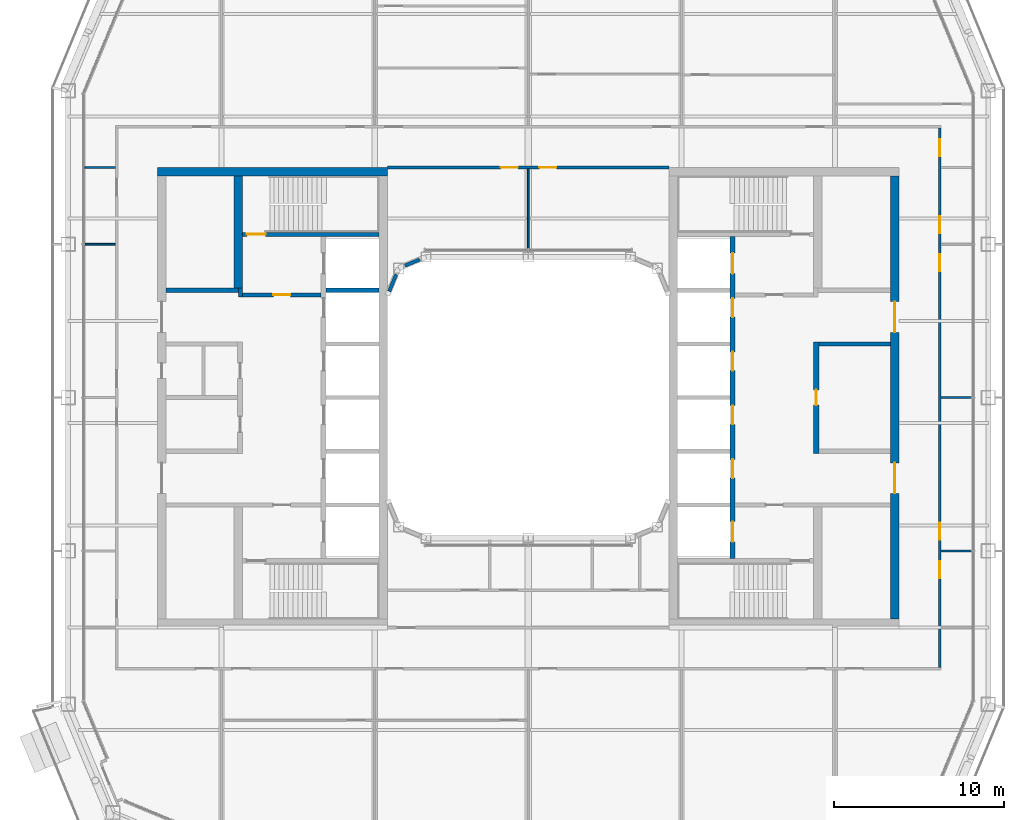
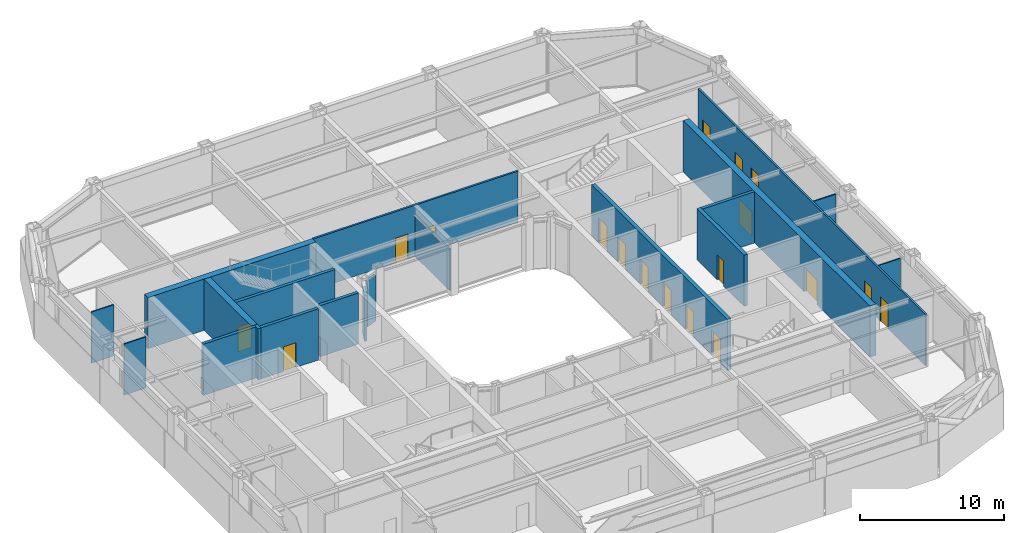
# One storey, part 15 of 24: 20 walls, 18 doors, 18 openings.
"""IFC4 building model written with IfcOpenShell, lengths in metres."""

from ifc_helpers import new_model, si_unit, direction, frame, frame_2d, origin, place, context, subcontext, project, spatial, rectangle, extrude, material, layer, layer_set, type_object, element, fill, save


model = new_model("IFC4")

# Units and contexts
model_context = context("Model", 3, precision=1e-05, world=origin(), true_north=direction((0.0, 1.0)))
body_context = subcontext(model_context, "Body", "Model", "MODEL_VIEW")
ifc_project = project(units=[si_unit("LENGTHUNIT", "METRE"), si_unit("AREAUNIT", "SQUARE_METRE"), si_unit("VOLUMEUNIT", "CUBIC_METRE"), si_unit("PLANEANGLEUNIT", "RADIAN"), si_unit("MASSUNIT", "GRAM", prefix="KILO")], contexts=[model_context])

# Site, building, storey
site_placement = place(None, origin())
site = spatial("IfcSite", under=ifc_project, at=site_placement, CompositionType="ELEMENT")
building_placement = place(site_placement, origin())
building = spatial("IfcBuilding", under=site, at=building_placement, Name="Siwar Civic Tower", CompositionType="ELEMENT")
storey_placement = place(building_placement, frame((0.0, 0.0, 215.199951171875)))
storey = spatial("IfcBuildingStorey", under=building, at=storey_placement, Name="L46", CompositionType="ELEMENT", Elevation=215.199951171875)

# Wall, opening, door
ifc_material_1 = material(Name="Concrete C60/75", Category="concrete")
ifc_layer_1 = layer(ifc_material_1, 0.25)
ifc_layer_set_1 = layer_set([ifc_layer_1], Name="Concrete C60/75")
wall_type_1 = type_object("IfcWallType", Name="CORE-WALL-RC250", PredefinedType="SHEAR", material=ifc_layer_set_1)
wall_1_placement = place(storey_placement, frame((-12.14990234375, 6.02490234375, 0.0), z_axis=(0.0, 0.0, 1.0), x_axis=(-1.0, 0.0, 0.0)))
wall_1 = element("IfcWall", 1, at=wall_1_placement, inside=storey, type_object=wall_type_1, Name="Core wall W", PredefinedType="SHEAR", context=body_context, shape_type="SweptSolid", body=[
    extrude(rectangle(XDim=4.60009765625, YDim=0.25, at=frame_2d((2.300048828125, 0.0))), origin(), (0.0, 0.0, 1.0), 4.35009765625),
])
opening_1_placement = place(wall_1_placement, frame((1.800048828125, 0.0, 0.0)))
opening_1 = element("IfcOpeningElement", 2, at=opening_1_placement, cuts=wall_1, Name="Opening L46-CW01", PredefinedType="OPENING", context=body_context, shape_type="SweptSolid", body=[
    extrude(rectangle(XDim=1.0, YDim=2.10009765625, at=frame_2d((0.5, 1.050048828125))), frame((0.0, 0.135009765625, 0.0), z_axis=(0.0, -1.0, 0.0), x_axis=(1.0, 0.0, 0.0)), (0.0, 0.0, 1.0), 0.27001953125),
])
ifc_material_2 = material(Name="Steel door leaf", Category="steel")
door_type_1 = type_object("IfcDoorType", Name="CORE-DOOR-FD30S", OperationType="SINGLE_SWING_LEFT", PredefinedType="DOOR", material=ifc_material_2)
door_1_placement = place(opening_1_placement, origin())
door_1 = element("IfcDoor", 3, at=door_1_placement, inside=storey, type_object=door_type_1, Name="Firefighting lobby door L46-CW01", OperationType="SINGLE_SWING_LEFT", OverallHeight=2.10009765625, OverallWidth=1.0, PredefinedType="DOOR", context=body_context, shape_type="SweptSolid", body=[
    extrude(rectangle(XDim=1.0, YDim=2.10009765625, at=frame_2d((0.5, 1.050048828125))), frame((0.0, 0.02490234375, 0.0), z_axis=(0.0, -1.0, 0.0), x_axis=(1.0, 0.0, 0.0)), (0.0, 0.0, 1.0), 0.050048828125),
])
fill(opening_1, door_1)

# Walls
wall_2_placement = place(storey_placement, frame((-16.875, 5.89990234375, 0.0), z_axis=(0.0, 0.0, 1.0), x_axis=(0.0, 1.0, 0.0)))
element("IfcWall", 4, at=wall_2_placement, inside=storey, type_object=wall_type_1, Name="Core wall W", PredefinedType="SHEAR", context=body_context, shape_type="SweptSolid", body=[
    extrude(rectangle(XDim=0.525146484375, YDim=0.25, at=frame_2d((0.2626953125, 0.0))), origin(), (0.0, 0.0, 1.0), 4.35009765625),
])
wall_3_placement = place(storey_placement, frame((-17.0, 6.300048828125, 0.0), z_axis=(0.0, 0.0, 1.0), x_axis=(-1.0, 0.0, 0.0)))
element("IfcWall", 5, at=wall_3_placement, inside=storey, type_object=wall_type_1, Name="Core wall W", PredefinedType="SHEAR", context=body_context, shape_type="SweptSolid", body=[
    extrude(rectangle(XDim=4.25, YDim=0.25, at=frame_2d((2.125, 0.0))), origin(), (0.0, 0.0, 1.0), 4.35009765625),
])
wall_4_placement = place(storey_placement, frame((-8.75, 6.300048828125, 0.0), z_axis=(0.0, 0.0, 1.0), x_axis=(-1.0, 0.0, 0.0)))
element("IfcWall", 6, at=wall_4_placement, inside=storey, type_object=wall_type_1, Name="Core wall W", PredefinedType="SHEAR", context=body_context, shape_type="SweptSolid", body=[
    extrude(rectangle(XDim=3.10009765625, YDim=0.25, at=frame_2d((1.550048828125, 0.0))), origin(), (0.0, 0.0, 1.0), 4.35009765625),
])

# Wall, opening, door
wall_5_placement = place(storey_placement, frame((-8.75, 9.574951171875, 0.0), z_axis=(0.0, 0.0, 1.0), x_axis=(-1.0, 0.0, 0.0)))
wall_5 = element("IfcWall", 7, at=wall_5_placement, inside=storey, type_object=wall_type_1, Name="Core wall W", PredefinedType="SHEAR", context=body_context, shape_type="SweptSolid", body=[
    extrude(rectangle(XDim=8.0, YDim=0.25, at=frame_2d((4.0, 0.0))), origin(), (0.0, 0.0, 1.0), 4.35009765625),
])
opening_2_placement = place(wall_5_placement, frame((6.64990234375, 0.0, 0.0)))
opening_2 = element("IfcOpeningElement", 8, at=opening_2_placement, cuts=wall_5, Name="Opening L46-CW03", PredefinedType="OPENING", context=body_context, shape_type="SweptSolid", body=[
    extrude(rectangle(XDim=1.10009765625, YDim=2.10009765625, at=frame_2d((0.550048828125, 1.050048828125))), frame((0.0, 0.135009765625, 0.0), z_axis=(0.0, -1.0, 0.0), x_axis=(1.0, 0.0, 0.0)), (0.0, 0.0, 1.0), 0.27001953125),
])
ifc_material_3 = material(Name="Steel door leaf", Category="steel")
door_type_2 = type_object("IfcDoorType", Name="CORE-DOOR-FD60S", OperationType="SINGLE_SWING_LEFT", PredefinedType="DOOR", material=ifc_material_3)
door_2_placement = place(opening_2_placement, origin())
door_2 = element("IfcDoor", 9, at=door_2_placement, inside=storey, type_object=door_type_2, Name="Stair door L46-CW03", OperationType="SINGLE_SWING_RIGHT", OverallHeight=2.10009765625, OverallWidth=1.10009765625, PredefinedType="DOOR", context=body_context, shape_type="SweptSolid", body=[
    extrude(rectangle(XDim=1.10009765625, YDim=2.10009765625, at=frame_2d((0.550048828125, 1.050048828125))), frame((0.0, 0.02490234375, 0.0), z_axis=(0.0, -1.0, 0.0), x_axis=(1.0, 0.0, 0.0)), (0.0, 0.0, 1.0), 0.050048828125),
])
fill(opening_2, door_2)

# Wall
wall_6_placement = place(storey_placement, frame((17.050048828125, 3.14990234375, 0.0), z_axis=(0.0, 0.0, 1.0), x_axis=(1.0, 0.0, 0.0)))
element("IfcWall", 10, at=wall_6_placement, inside=storey, type_object=wall_type_1, Name="Core wall E", PredefinedType="SHEAR", context=body_context, shape_type="SweptSolid", body=[
    extrude(rectangle(XDim=4.199951171875, YDim=0.25, at=frame_2d((2.10009765625, 0.0))), origin(), (0.0, 0.0, 1.0), 4.35009765625),
])

# Wall, openings, doors
ifc_material_4 = material(Name="Concrete C60/75", Category="concrete")
ifc_layer_2 = layer(ifc_material_4, 0.300048828125)
ifc_layer_set_2 = layer_set([ifc_layer_2], Name="Concrete C60/75")
wall_type_2 = type_object("IfcWallType", Name="CORE-WALL-RC300", PredefinedType="SHEAR", material=ifc_layer_set_2)
wall_7_placement = place(storey_placement, frame((12.0, -9.449951171875, 0.0), z_axis=(0.0, 0.0, 1.0), x_axis=(0.0, 1.0, 0.0)))
wall_7 = element("IfcWall", 11, at=wall_7_placement, inside=storey, type_object=wall_type_2, Name="Core wall E", PredefinedType="SHEAR", context=body_context, shape_type="SweptSolid", body=[
    extrude(rectangle(XDim=18.89990234375, YDim=0.300048828125, at=frame_2d((9.449951171875, 0.0))), origin(), (0.0, 0.0, 1.0), 4.35009765625),
])
opening_3_placement = place(wall_7_placement, frame((4.72509765625, 0.0, 0.0)))
opening_3 = element("IfcOpeningElement", 12, at=opening_3_placement, cuts=wall_7, Name="Opening L46-CE07", PredefinedType="OPENING", context=body_context, shape_type="SweptSolid", body=[
    extrude(rectangle(XDim=1.10009765625, YDim=2.10009765625, at=frame_2d((0.550048828125, 1.050048828125))), frame((0.0, 0.16015625, 0.0), z_axis=(0.0, -1.0, 0.0), x_axis=(1.0, 0.0, 0.0)), (0.0, 0.0, 1.0), 0.320068359375),
])
opening_4_placement = place(wall_7_placement, frame((7.875, 0.0, 0.0)))
opening_4 = element("IfcOpeningElement", 13, at=opening_4_placement, cuts=wall_7, Name="Opening L46-CE08", PredefinedType="OPENING", context=body_context, shape_type="SweptSolid", body=[
    extrude(rectangle(XDim=1.10009765625, YDim=2.10009765625, at=frame_2d((0.550048828125, 1.050048828125))), frame((0.0, 0.16015625, 0.0), z_axis=(0.0, -1.0, 0.0), x_axis=(1.0, 0.0, 0.0)), (0.0, 0.0, 1.0), 0.320068359375),
])
opening_5_placement = place(wall_7_placement, frame((11.02490234375, 0.0, 0.0)))
opening_5 = element("IfcOpeningElement", 14, at=opening_5_placement, cuts=wall_7, Name="Opening L46-CE09", PredefinedType="OPENING", context=body_context, shape_type="SweptSolid", body=[
    extrude(rectangle(XDim=1.10009765625, YDim=2.10009765625, at=frame_2d((0.550048828125, 1.050048828125))), frame((0.0, 0.16015625, 0.0), z_axis=(0.0, -1.0, 0.0), x_axis=(1.0, 0.0, 0.0)), (0.0, 0.0, 1.0), 0.320068359375),
])
opening_6_placement = place(wall_7_placement, frame((14.175048828125, 0.0, 0.0)))
opening_6 = element("IfcOpeningElement", 15, at=opening_6_placement, cuts=wall_7, Name="Opening L46-CE10", PredefinedType="OPENING", context=body_context, shape_type="SweptSolid", body=[
    extrude(rectangle(XDim=1.10009765625, YDim=2.10009765625, at=frame_2d((0.550048828125, 1.050048828125))), frame((0.0, 0.16015625, 0.0), z_axis=(0.0, -1.0, 0.0), x_axis=(1.0, 0.0, 0.0)), (0.0, 0.0, 1.0), 0.320068359375),
])
opening_7_placement = place(wall_7_placement, frame((16.72509765625, 0.0, 0.0)))
opening_7 = element("IfcOpeningElement", 16, at=opening_7_placement, cuts=wall_7, Name="Opening L46-CE11", PredefinedType="OPENING", context=body_context, shape_type="SweptSolid", body=[
    extrude(rectangle(XDim=1.199951171875, YDim=2.10009765625, at=frame_2d((0.60009765625, 1.050048828125))), frame((0.0, 0.16015625, 0.0), z_axis=(0.0, -1.0, 0.0), x_axis=(1.0, 0.0, 0.0)), (0.0, 0.0, 1.0), 0.320068359375),
])
opening_8_placement = place(wall_7_placement, frame((0.97509765625, 0.0, 0.0)))
opening_8 = element("IfcOpeningElement", 17, at=opening_8_placement, cuts=wall_7, Name="Opening L46-CE12", PredefinedType="OPENING", context=body_context, shape_type="SweptSolid", body=[
    extrude(rectangle(XDim=1.199951171875, YDim=2.10009765625, at=frame_2d((0.60009765625, 1.050048828125))), frame((0.0, 0.16015625, 0.0), z_axis=(0.0, -1.0, 0.0), x_axis=(1.0, 0.0, 0.0)), (0.0, 0.0, 1.0), 0.320068359375),
])
ifc_material_5 = material(Name="Steel door leaf", Category="steel")
door_type_3 = type_object("IfcDoorType", Name="CORE-DOOR-LD", OperationType="DOUBLE_DOOR_SLIDING", PredefinedType="DOOR", material=ifc_material_5)
door_3_placement = place(opening_3_placement, origin())
door_3 = element("IfcDoor", 18, at=door_3_placement, inside=storey, type_object=door_type_3, Name="Landing door HR5 L46-CE07", OperationType="DOUBLE_DOOR_SLIDING", OverallHeight=2.10009765625, OverallWidth=1.10009765625, PredefinedType="DOOR", context=body_context, shape_type="SweptSolid", body=[
    extrude(rectangle(XDim=1.10009765625, YDim=2.10009765625, at=frame_2d((0.550048828125, 1.050048828125))), frame((0.0, 0.02490234375, 0.0), z_axis=(0.0, -1.0, 0.0), x_axis=(1.0, 0.0, 0.0)), (0.0, 0.0, 1.0), 0.050048828125),
])
fill(opening_3, door_3)
door_4_placement = place(opening_4_placement, origin())
door_4 = element("IfcDoor", 19, at=door_4_placement, inside=storey, type_object=door_type_3, Name="Landing door HR6 L46-CE08", OperationType="DOUBLE_DOOR_SLIDING", OverallHeight=2.10009765625, OverallWidth=1.10009765625, PredefinedType="DOOR", context=body_context, shape_type="SweptSolid", body=[
    extrude(rectangle(XDim=1.10009765625, YDim=2.10009765625, at=frame_2d((0.550048828125, 1.050048828125))), frame((0.0, 0.02490234375, 0.0), z_axis=(0.0, -1.0, 0.0), x_axis=(1.0, 0.0, 0.0)), (0.0, 0.0, 1.0), 0.050048828125),
])
fill(opening_4, door_4)
door_5_placement = place(opening_5_placement, origin())
door_5 = element("IfcDoor", 20, at=door_5_placement, inside=storey, type_object=door_type_3, Name="Landing door HR7 L46-CE09", OperationType="DOUBLE_DOOR_SLIDING", OverallHeight=2.10009765625, OverallWidth=1.10009765625, PredefinedType="DOOR", context=body_context, shape_type="SweptSolid", body=[
    extrude(rectangle(XDim=1.10009765625, YDim=2.10009765625, at=frame_2d((0.550048828125, 1.050048828125))), frame((0.0, 0.02490234375, 0.0), z_axis=(0.0, -1.0, 0.0), x_axis=(1.0, 0.0, 0.0)), (0.0, 0.0, 1.0), 0.050048828125),
])
fill(opening_5, door_5)
door_6_placement = place(opening_6_placement, origin())
door_6 = element("IfcDoor", 21, at=door_6_placement, inside=storey, type_object=door_type_3, Name="Landing door HR8 L46-CE10", OperationType="DOUBLE_DOOR_SLIDING", OverallHeight=2.10009765625, OverallWidth=1.10009765625, PredefinedType="DOOR", context=body_context, shape_type="SweptSolid", body=[
    extrude(rectangle(XDim=1.10009765625, YDim=2.10009765625, at=frame_2d((0.550048828125, 1.050048828125))), frame((0.0, 0.02490234375, 0.0), z_axis=(0.0, -1.0, 0.0), x_axis=(1.0, 0.0, 0.0)), (0.0, 0.0, 1.0), 0.050048828125),
])
fill(opening_6, door_6)
ifc_material_6 = material(Name="Steel door leaf", Category="steel")
door_type_4 = type_object("IfcDoorType", Name="CORE-DOOR-LDW", OperationType="DOUBLE_DOOR_SLIDING", PredefinedType="DOOR", material=ifc_material_6)
door_7_placement = place(opening_7_placement, origin())
door_7 = element("IfcDoor", 22, at=door_7_placement, inside=storey, type_object=door_type_4, Name="Landing door FF2 L46-CE11", OperationType="DOUBLE_DOOR_SLIDING", OverallHeight=2.10009765625, OverallWidth=1.199951171875, PredefinedType="DOOR", context=body_context, shape_type="SweptSolid", body=[
    extrude(rectangle(XDim=1.199951171875, YDim=2.10009765625, at=frame_2d((0.60009765625, 1.050048828125))), frame((0.0, 0.02490234375, 0.0), z_axis=(0.0, -1.0, 0.0), x_axis=(1.0, 0.0, 0.0)), (0.0, 0.0, 1.0), 0.050048828125),
])
fill(opening_7, door_7)
door_8_placement = place(opening_8_placement, origin())
door_8 = element("IfcDoor", 23, at=door_8_placement, inside=storey, type_object=door_type_4, Name="Landing door SV2 L46-CE12", OperationType="DOUBLE_DOOR_SLIDING", OverallHeight=2.10009765625, OverallWidth=1.199951171875, PredefinedType="DOOR", context=body_context, shape_type="SweptSolid", body=[
    extrude(rectangle(XDim=1.199951171875, YDim=2.10009765625, at=frame_2d((0.60009765625, 1.050048828125))), frame((0.0, 0.02490234375, 0.0), z_axis=(0.0, -1.0, 0.0), x_axis=(1.0, 0.0, 0.0)), (0.0, 0.0, 1.0), 0.050048828125),
])
fill(opening_8, door_8)

# Wall, opening, door
wall_8_placement = place(storey_placement, frame((16.89990234375, -3.27490234375, 0.0), z_axis=(0.0, 0.0, 1.0), x_axis=(0.0, 1.0, 0.0)))
wall_8 = element("IfcWall", 24, at=wall_8_placement, inside=storey, type_object=wall_type_2, Name="Core wall E", PredefinedType="SHEAR", context=body_context, shape_type="SweptSolid", body=[
    extrude(rectangle(XDim=6.5498046875, YDim=0.300048828125, at=frame_2d((3.27490234375, 0.0))), origin(), (0.0, 0.0, 1.0), 4.35009765625),
])
opening_9_placement = place(wall_8_placement, frame((2.824951171875, 0.0, 0.0)))
opening_9 = element("IfcOpeningElement", 25, at=opening_9_placement, cuts=wall_8, Name="Opening L46-CE13", PredefinedType="OPENING", context=body_context, shape_type="SweptSolid", body=[
    extrude(rectangle(XDim=0.89990234375, YDim=2.10009765625, at=frame_2d((0.449951171875, 1.050048828125))), frame((0.0, 0.16015625, 0.0), z_axis=(0.0, -1.0, 0.0), x_axis=(1.0, 0.0, 0.0)), (0.0, 0.0, 1.0), 0.320068359375),
])
ifc_material_7 = material(Name="Steel door leaf", Category="steel")
door_type_5 = type_object("IfcDoorType", Name="CORE-DOOR-ROOM", OperationType="SINGLE_SWING_LEFT", PredefinedType="DOOR", material=ifc_material_7)
door_9_placement = place(opening_9_placement, origin())
door_9 = element("IfcDoor", 26, at=door_9_placement, inside=storey, type_object=door_type_5, Name="Core room door L46-CE13", OperationType="SINGLE_SWING_LEFT", OverallHeight=2.10009765625, OverallWidth=0.89990234375, PredefinedType="DOOR", context=body_context, shape_type="SweptSolid", body=[
    extrude(rectangle(XDim=0.89990234375, YDim=2.10009765625, at=frame_2d((0.449951171875, 1.050048828125))), frame((0.0, 0.02490234375, 0.0), z_axis=(0.0, -1.0, 0.0), x_axis=(1.0, 0.0, 0.0)), (0.0, 0.0, 1.0), 0.050048828125),
])
fill(opening_9, door_9)

# Walls
ifc_material_8 = material(Name="Concrete C60/75", Category="concrete")
ifc_layer_3 = layer(ifc_material_8, 0.5)
ifc_layer_set_3 = layer_set([ifc_layer_3], Name="Concrete C60/75")
wall_type_3 = type_object("IfcWallType", Name="CORE-WALL-RC500", PredefinedType="SHEAR", material=ifc_layer_set_3)
wall_9_placement = place(storey_placement, frame((-17.0, 6.425048828125, 0.0), z_axis=(0.0, 0.0, 1.0), x_axis=(0.0, 1.0, 0.0)))
element("IfcWall", 27, at=wall_9_placement, inside=storey, type_object=wall_type_3, Name="Core wall W", PredefinedType="SHEAR", context=body_context, shape_type="SweptSolid", body=[
    extrude(rectangle(XDim=6.574951171875, YDim=0.5, at=frame_2d((3.28759765625, 0.0))), origin(), (0.0, 0.0, 1.0), 4.35009765625),
])
wall_10_placement = place(storey_placement, frame((-8.25, 13.25, 0.0), z_axis=(0.0, 0.0, 1.0), x_axis=(-1.0, 0.0, 0.0)))
element("IfcWall", 28, at=wall_10_placement, inside=storey, type_object=wall_type_3, Name="Core wall W", PredefinedType="SHEAR", context=body_context, shape_type="SweptSolid", body=[
    extrude(rectangle(XDim=13.5, YDim=0.5, at=frame_2d((6.75, 0.0))), origin(), (0.0, 0.0, 1.0), 4.35009765625),
])

# Wall, openings, doors
wall_11_placement = place(storey_placement, frame((21.5, -13.0, 0.0), z_axis=(0.0, 0.0, 1.0), x_axis=(0.0, 1.0, 0.0)))
wall_11 = element("IfcWall", 29, at=wall_11_placement, inside=storey, type_object=wall_type_3, Name="Core wall E", PredefinedType="SHEAR", context=body_context, shape_type="SweptSolid", body=[
    extrude(rectangle(XDim=26.0, YDim=0.5, at=frame_2d((13.0, 0.0))), origin(), (0.0, 0.0, 1.0), 4.35009765625),
])
opening_10_placement = place(wall_11_placement, frame((16.824951171875, 0.0, 0.0)))
opening_10 = element("IfcOpeningElement", 30, at=opening_10_placement, cuts=wall_11, Name="Opening L46-CE05", PredefinedType="OPENING", context=body_context, shape_type="SweptSolid", body=[
    extrude(rectangle(XDim=1.800048828125, YDim=2.10009765625, at=frame_2d((0.89990234375, 1.050048828125))), frame((0.0, 0.260009765625, 0.0), z_axis=(0.0, -1.0, 0.0), x_axis=(1.0, 0.0, 0.0)), (0.0, 0.0, 1.0), 0.52001953125),
])
opening_11_placement = place(wall_11_placement, frame((7.375, 0.0, 0.0)))
opening_11 = element("IfcOpeningElement", 31, at=opening_11_placement, cuts=wall_11, Name="Opening L46-CE06", PredefinedType="OPENING", context=body_context, shape_type="SweptSolid", body=[
    extrude(rectangle(XDim=1.800048828125, YDim=2.10009765625, at=frame_2d((0.89990234375, 1.050048828125))), frame((0.0, 0.260009765625, 0.0), z_axis=(0.0, -1.0, 0.0), x_axis=(1.0, 0.0, 0.0)), (0.0, 0.0, 1.0), 0.52001953125),
])
ifc_material_9 = material(Name="Steel door leaf", Category="steel")
door_type_6 = type_object("IfcDoorType", Name="CORE-DOOR-PORT", OperationType="DOUBLE_DOOR_DOUBLE_SWING", PredefinedType="DOOR", material=ifc_material_9)
door_10_placement = place(opening_10_placement, origin())
door_10 = element("IfcDoor", 32, at=door_10_placement, inside=storey, type_object=door_type_6, Name="Core entrance door L46-CE05", OperationType="DOUBLE_DOOR_DOUBLE_SWING", OverallHeight=2.10009765625, OverallWidth=1.800048828125, PredefinedType="DOOR", context=body_context, shape_type="SweptSolid", body=[
    extrude(rectangle(XDim=1.800048828125, YDim=2.10009765625, at=frame_2d((0.89990234375, 1.050048828125))), frame((0.0, 0.02490234375, 0.0), z_axis=(0.0, -1.0, 0.0), x_axis=(1.0, 0.0, 0.0)), (0.0, 0.0, 1.0), 0.050048828125),
])
fill(opening_10, door_10)
door_11_placement = place(opening_11_placement, origin())
door_11 = element("IfcDoor", 33, at=door_11_placement, inside=storey, type_object=door_type_6, Name="Core entrance door L46-CE06", OperationType="DOUBLE_DOOR_DOUBLE_SWING", OverallHeight=2.10009765625, OverallWidth=1.800048828125, PredefinedType="DOOR", context=body_context, shape_type="SweptSolid", body=[
    extrude(rectangle(XDim=1.800048828125, YDim=2.10009765625, at=frame_2d((0.89990234375, 1.050048828125))), frame((0.0, 0.02490234375, 0.0), z_axis=(0.0, -1.0, 0.0), x_axis=(1.0, 0.0, 0.0)), (0.0, 0.0, 1.0), 0.050048828125),
])
fill(opening_11, door_11)

ifc_material_10 = material(Name="Gypsum board on steel studs", Category="steel")
ifc_layer_4 = layer(ifc_material_10, 0.14990234375)
ifc_layer_set_4 = layer_set([ifc_layer_4], Name="Gypsum board on steel studs")
wall_type_4 = type_object("IfcWallType", Name="CORRIDOR PARTITION 150 EI 30", PredefinedType="PARTITIONING", material=ifc_layer_set_4)
wall_12_placement = place(storey_placement, frame((-8.25, 13.5, 0.0), z_axis=(0.0, 0.0, 1.0), x_axis=(1.0, 0.0, 0.0)))
wall_12 = element("IfcWall", 34, at=wall_12_placement, inside=storey, type_object=wall_type_4, Name="L46/wall/P16", PredefinedType="PARTITIONING", context=body_context, shape_type="SweptSolid", body=[
    extrude(rectangle(XDim=16.5, YDim=0.14990234375, at=frame_2d((8.25, 0.0))), origin(), (0.0, 0.0, 1.0), 4.35009765625),
])
opening_12_placement = place(wall_12_placement, frame((6.64990234375, 0.0, 0.0)))
opening_12 = element("IfcOpeningElement", 35, at=opening_12_placement, cuts=wall_12, Name="Opening D1", PredefinedType="OPENING", context=body_context, shape_type="SweptSolid", body=[
    extrude(rectangle(XDim=1.0, YDim=2.10009765625, at=frame_2d((0.5, 1.050048828125))), frame((0.0, 0.0849609375, 0.0), z_axis=(0.0, -1.0, 0.0), x_axis=(1.0, 0.0, 0.0)), (0.0, 0.0, 1.0), 0.169921875),
])
opening_13_placement = place(wall_12_placement, frame((8.89990234375, 0.0, 0.0)))
opening_13 = element("IfcOpeningElement", 36, at=opening_13_placement, cuts=wall_12, Name="Opening D1", PredefinedType="OPENING", context=body_context, shape_type="SweptSolid", body=[
    extrude(rectangle(XDim=1.0, YDim=2.10009765625, at=frame_2d((0.5, 1.050048828125))), frame((0.0, 0.0849609375, 0.0), z_axis=(0.0, -1.0, 0.0), x_axis=(1.0, 0.0, 0.0)), (0.0, 0.0, 1.0), 0.169921875),
])
ifc_material_11 = material(Name="Timber, painted", Category="wood")
door_type_7 = type_object("IfcDoorType", Name="DOOR 1000 X 2100 FD30", OperationType="SINGLE_SWING_LEFT", PredefinedType="DOOR", material=ifc_material_11)
door_12_placement = place(opening_12_placement, origin())
door_12 = element("IfcDoor", 37, at=door_12_placement, inside=storey, type_object=door_type_7, Name="L46-D28", OperationType="SINGLE_SWING_RIGHT", OverallHeight=2.10009765625, OverallWidth=1.0, PredefinedType="DOOR", context=body_context, shape_type="SweptSolid", body=[
    extrude(rectangle(XDim=1.0, YDim=2.10009765625, at=frame_2d((0.5, 1.050048828125))), frame((0.0, 0.02490234375, 0.0), z_axis=(0.0, -1.0, 0.0), x_axis=(1.0, 0.0, 0.0)), (0.0, 0.0, 1.0), 0.050048828125),
])
fill(opening_12, door_12)
door_13_placement = place(opening_13_placement, origin())
door_13 = element("IfcDoor", 38, at=door_13_placement, inside=storey, type_object=door_type_7, Name="L46-D29", OperationType="SINGLE_SWING_LEFT", OverallHeight=2.10009765625, OverallWidth=1.0, PredefinedType="DOOR", context=body_context, shape_type="SweptSolid", body=[
    extrude(rectangle(XDim=1.0, YDim=2.10009765625, at=frame_2d((0.5, 1.050048828125))), frame((0.0, 0.02490234375, 0.0), z_axis=(0.0, -1.0, 0.0), x_axis=(1.0, 0.0, 0.0)), (0.0, 0.0, 1.0), 0.050048828125),
])
fill(opening_13, door_13)

wall_13_placement = place(storey_placement, frame((24.14990234375, -15.824951171875, 0.0), z_axis=(0.0, 0.0, 1.0), x_axis=(0.0, 1.0, 0.0)))
wall_13 = element("IfcWall", 39, at=wall_13_placement, inside=storey, type_object=wall_type_4, Name="L46/wall/P39", PredefinedType="PARTITIONING", context=body_context, shape_type="SweptSolid", body=[
    extrude(rectangle(XDim=31.64990234375, YDim=0.14990234375, at=frame_2d((15.824951171875, 0.0))), origin(), (0.0, 0.0, 1.0), 4.35009765625),
])
opening_14_placement = place(wall_13_placement, frame((29.97509765625, 0.0, 0.0)))
opening_14 = element("IfcOpeningElement", 40, at=opening_14_placement, cuts=wall_13, Name="Opening D1", PredefinedType="OPENING", context=body_context, shape_type="SweptSolid", body=[
    extrude(rectangle(XDim=1.0, YDim=2.10009765625, at=frame_2d((0.5, 1.050048828125))), frame((0.0, 0.0849609375, 0.0), z_axis=(0.0, -1.0, 0.0), x_axis=(1.0, 0.0, 0.0)), (0.0, 0.0, 1.0), 0.169921875),
])
opening_15_placement = place(wall_13_placement, frame((5.22509765625, 0.0, 0.0)))
opening_15 = element("IfcOpeningElement", 41, at=opening_15_placement, cuts=wall_13, Name="Opening D1", PredefinedType="OPENING", context=body_context, shape_type="SweptSolid", body=[
    extrude(rectangle(XDim=1.0, YDim=2.10009765625, at=frame_2d((0.5, 1.050048828125))), frame((0.0, 0.0849609375, 0.0), z_axis=(0.0, -1.0, 0.0), x_axis=(1.0, 0.0, 0.0)), (0.0, 0.0, 1.0), 0.169921875),
])
opening_16_placement = place(wall_13_placement, frame((7.47509765625, 0.0, 0.0)))
opening_16 = element("IfcOpeningElement", 42, at=opening_16_placement, cuts=wall_13, Name="Opening D1", PredefinedType="OPENING", context=body_context, shape_type="SweptSolid", body=[
    extrude(rectangle(XDim=1.0, YDim=2.10009765625, at=frame_2d((0.5, 1.050048828125))), frame((0.0, 0.0849609375, 0.0), z_axis=(0.0, -1.0, 0.0), x_axis=(1.0, 0.0, 0.0)), (0.0, 0.0, 1.0), 0.169921875),
])
opening_17_placement = place(wall_13_placement, frame((23.22509765625, 0.0, 0.0)))
opening_17 = element("IfcOpeningElement", 43, at=opening_17_placement, cuts=wall_13, Name="Opening D1", PredefinedType="OPENING", context=body_context, shape_type="SweptSolid", body=[
    extrude(rectangle(XDim=1.0, YDim=2.10009765625, at=frame_2d((0.5, 1.050048828125))), frame((0.0, 0.0849609375, 0.0), z_axis=(0.0, -1.0, 0.0), x_axis=(1.0, 0.0, 0.0)), (0.0, 0.0, 1.0), 0.169921875),
])
opening_18_placement = place(wall_13_placement, frame((25.47509765625, 0.0, 0.0)))
opening_18 = element("IfcOpeningElement", 44, at=opening_18_placement, cuts=wall_13, Name="Opening D1", PredefinedType="OPENING", context=body_context, shape_type="SweptSolid", body=[
    extrude(rectangle(XDim=1.0, YDim=2.10009765625, at=frame_2d((0.5, 1.050048828125))), frame((0.0, 0.0849609375, 0.0), z_axis=(0.0, -1.0, 0.0), x_axis=(1.0, 0.0, 0.0)), (0.0, 0.0, 1.0), 0.169921875),
])
door_14_placement = place(opening_14_placement, origin())
door_14 = element("IfcDoor", 45, at=door_14_placement, inside=storey, type_object=door_type_7, Name="L46-D16", OperationType="SINGLE_SWING_RIGHT", OverallHeight=2.10009765625, OverallWidth=1.0, PredefinedType="DOOR", context=body_context, shape_type="SweptSolid", body=[
    extrude(rectangle(XDim=1.0, YDim=2.10009765625, at=frame_2d((0.5, 1.050048828125))), frame((0.0, 0.02490234375, 0.0), z_axis=(0.0, -1.0, 0.0), x_axis=(1.0, 0.0, 0.0)), (0.0, 0.0, 1.0), 0.050048828125),
])
fill(opening_14, door_14)
door_15_placement = place(opening_15_placement, origin())
door_15 = element("IfcDoor", 46, at=door_15_placement, inside=storey, type_object=door_type_7, Name="L46-D24", OperationType="SINGLE_SWING_RIGHT", OverallHeight=2.10009765625, OverallWidth=1.0, PredefinedType="DOOR", context=body_context, shape_type="SweptSolid", body=[
    extrude(rectangle(XDim=1.0, YDim=2.10009765625, at=frame_2d((0.5, 1.050048828125))), frame((0.0, 0.02490234375, 0.0), z_axis=(0.0, -1.0, 0.0), x_axis=(1.0, 0.0, 0.0)), (0.0, 0.0, 1.0), 0.050048828125),
])
fill(opening_15, door_15)
door_16_placement = place(opening_16_placement, origin())
door_16 = element("IfcDoor", 47, at=door_16_placement, inside=storey, type_object=door_type_7, Name="L46-D25", OperationType="SINGLE_SWING_LEFT", OverallHeight=2.10009765625, OverallWidth=1.0, PredefinedType="DOOR", context=body_context, shape_type="SweptSolid", body=[
    extrude(rectangle(XDim=1.0, YDim=2.10009765625, at=frame_2d((0.5, 1.050048828125))), frame((0.0, 0.02490234375, 0.0), z_axis=(0.0, -1.0, 0.0), x_axis=(1.0, 0.0, 0.0)), (0.0, 0.0, 1.0), 0.050048828125),
])
fill(opening_16, door_16)
door_17_placement = place(opening_17_placement, origin())
door_17 = element("IfcDoor", 48, at=door_17_placement, inside=storey, type_object=door_type_7, Name="L46-D26", OperationType="SINGLE_SWING_RIGHT", OverallHeight=2.10009765625, OverallWidth=1.0, PredefinedType="DOOR", context=body_context, shape_type="SweptSolid", body=[
    extrude(rectangle(XDim=1.0, YDim=2.10009765625, at=frame_2d((0.5, 1.050048828125))), frame((0.0, 0.02490234375, 0.0), z_axis=(0.0, -1.0, 0.0), x_axis=(1.0, 0.0, 0.0)), (0.0, 0.0, 1.0), 0.050048828125),
])
fill(opening_17, door_17)
door_18_placement = place(opening_18_placement, origin())
door_18 = element("IfcDoor", 49, at=door_18_placement, inside=storey, type_object=door_type_7, Name="L46-D27", OperationType="SINGLE_SWING_LEFT", OverallHeight=2.10009765625, OverallWidth=1.0, PredefinedType="DOOR", context=body_context, shape_type="SweptSolid", body=[
    extrude(rectangle(XDim=1.0, YDim=2.10009765625, at=frame_2d((0.5, 1.050048828125))), frame((0.0, 0.02490234375, 0.0), z_axis=(0.0, -1.0, 0.0), x_axis=(1.0, 0.0, 0.0)), (0.0, 0.0, 1.0), 0.050048828125),
])
fill(opening_18, door_18)

# Walls
ifc_material_12 = material(Name="Aluminium clad insulated panel", Category="aluminium")
ifc_layer_5 = layer(ifc_material_12, 0.199951171875)
ifc_layer_set_5 = layer_set([ifc_layer_5], Name="Aluminium clad insulated panel")
wall_type_5 = type_object("IfcWallType", Name="ENV-WALL-WELL", PredefinedType="STANDARD", material=ifc_layer_set_5)
wall_14_placement = place(storey_placement, frame((-6.362060546875, 8.10009765625, 0.0), z_axis=(0.0, 0.0, 1.0), x_axis=(-0.923829670615, -0.382803787458, 0.0)))
element("IfcWall", 50, at=wall_14_placement, inside=storey, type_object=wall_type_5, Name="Light well corner wall NW1", PredefinedType="STANDARD", context=body_context, shape_type="SweptSolid", body=[
    extrude(rectangle(XDim=0.938232421875, YDim=0.199951171875, at=frame_2d((0.46923828125, 0.0))), origin(), (0.0, 0.0, 1.0), 3.91796875),
])
wall_15_placement = place(storey_placement, frame((-7.740966796875, 7.228759765625, 0.0), z_axis=(0.0, 0.0, 1.0), x_axis=(-0.382704496366, -0.923870807235, 0.0)))
element("IfcWall", 51, at=wall_15_placement, inside=storey, type_object=wall_type_5, Name="Light well corner wall NW2", PredefinedType="STANDARD", context=body_context, shape_type="SweptSolid", body=[
    extrude(rectangle(XDim=1.080078125, YDim=0.199951171875, at=frame_2d((0.5400390625, 0.0))), origin(), (0.0, 0.0, 1.0), 3.91796875),
])
ifc_material_13 = material(Name="Gypsum board on steel studs", Category="steel")
ifc_layer_6 = layer(ifc_material_13, 0.10009765625)
ifc_layer_set_6 = layer_set([ifc_layer_6], Name="Gypsum board on steel studs")
wall_type_6 = type_object("IfcWallType", Name="PARTITION 100 GYPSUM", PredefinedType="PARTITIONING", material=ifc_layer_set_6)
for number, where, z_axis, x_axis, name in (
    (52, (24.22509765625, -9.0, 0.0), (0.0, 0.0, 1.0), (1.0, 0.0, 0.0), "L46/wall/P09"),
    (53, (24.22509765625, 0.0, 0.0), (0.0, 0.0, 1.0), (1.0, 0.0, 0.0), "L46/wall/P11"),
    (54, (-26.010009765625, 9.0, 0.0), (0.0, 0.0, 1.0), (1.0, 0.0, 0.0), "L46/wall/P12"),
    (55, (-26.010009765625, 13.5, 0.0), (0.0, 0.0, 1.0), (1.0, 0.0, 0.0), "L46/wall/P14"),
):
    element("IfcWall", number, at=place(storey_placement, frame(where, z_axis=z_axis, x_axis=x_axis)), inside=storey, type_object=wall_type_6, Name=name, PredefinedType="PARTITIONING", context=body_context, shape_type="SweptSolid", body=[
        extrude(rectangle(XDim=1.784912109375, YDim=0.10009765625, at=frame_2d((0.892578125, 0.0))), origin(), (0.0, 0.0, 1.0), 4.35009765625),
    ])
wall_16_placement = place(storey_placement, frame((0.0, 8.60009765625, 0.0), z_axis=(0.0, 0.0, 1.0), x_axis=(0.0, 1.0, 0.0)))
element("IfcWall", 56, at=wall_16_placement, inside=storey, type_object=wall_type_6, Name="L46/wall/P31", PredefinedType="PARTITIONING", context=body_context, shape_type="SweptSolid", body=[
    extrude(rectangle(XDim=4.824951171875, YDim=0.10009765625, at=frame_2d((2.41259765625, 0.0))), origin(), (0.0, 0.0, 1.0), 3.550048828125),
])

save(model, "model.ifc")
